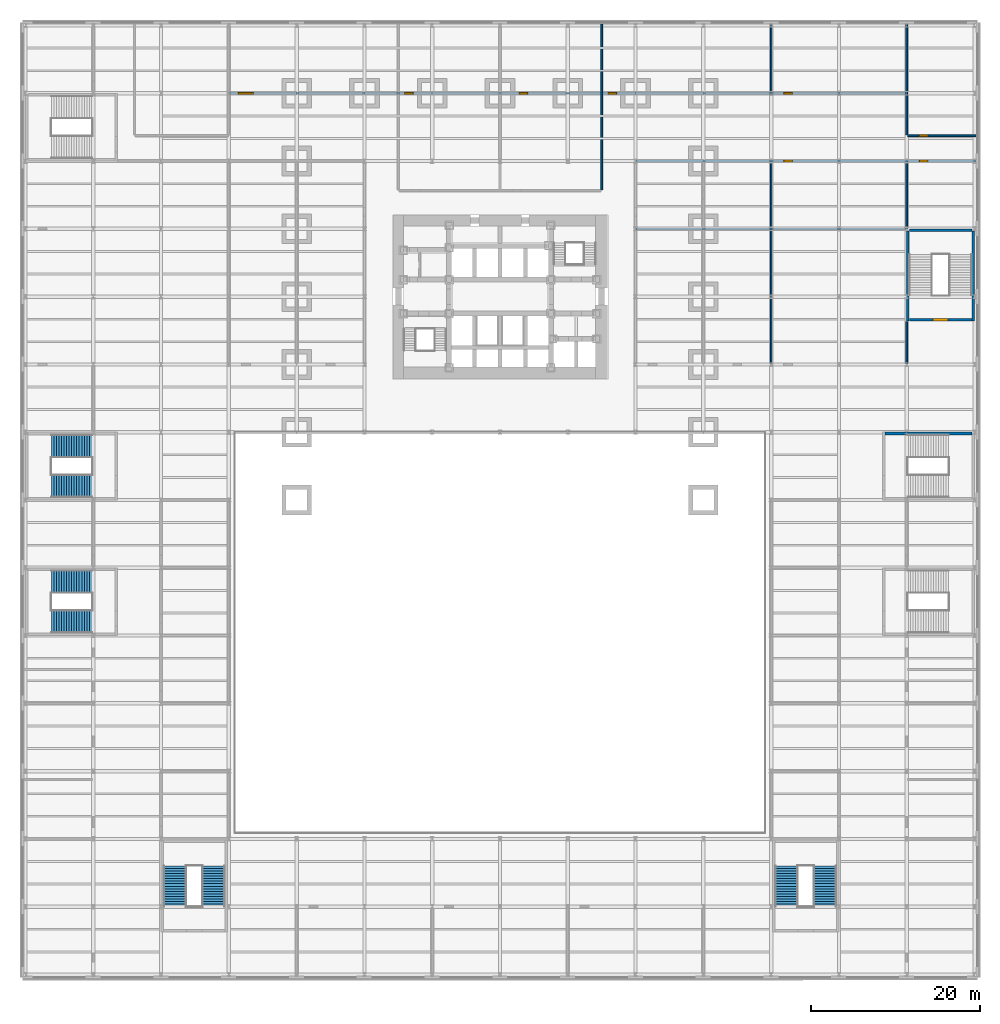
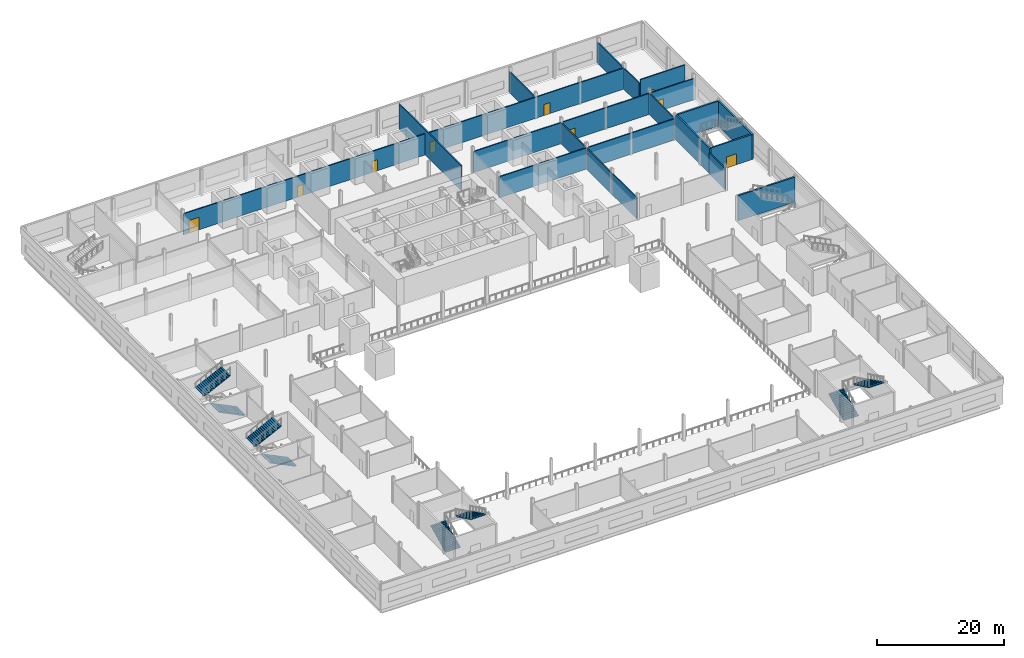
# One storey, part 13 of 18: 15 walls, 9 doors, 8 stair flights, 9 openings, 4 elements without a shape of their own.
"""IFC4 building model written with IfcOpenShell, lengths in metres."""

from ifc_helpers import new_model, si_unit, direction, frame, frame_2d, origin, place, context, subcontext, project, spatial, polyline, rectangle, outline, extrude, material, layer, layer_set, type_object, element, fill, aggregate, save


model = new_model("IFC4")

# Units and contexts
model_context = context("Model", 3, precision=1e-05, world=origin(), true_north=direction((0.0, 1.0)))
body_context = subcontext(model_context, "Body", "Model", "MODEL_VIEW")
ifc_project = project(units=[si_unit("LENGTHUNIT", "METRE"), si_unit("AREAUNIT", "SQUARE_METRE"), si_unit("VOLUMEUNIT", "CUBIC_METRE"), si_unit("PLANEANGLEUNIT", "RADIAN"), si_unit("MASSUNIT", "GRAM", prefix="KILO")], contexts=[model_context])

# Site, building, storey
site_placement = place(None, origin())
site = spatial("IfcSite", under=ifc_project, at=site_placement, CompositionType="ELEMENT")
building_placement = place(site_placement, origin())
building = spatial("IfcBuilding", under=site, at=building_placement, Name="Daluyong Arena Tower", CompositionType="ELEMENT")
storey_placement = place(building_placement, frame((0.0, 0.0, 4.89990234375)))
storey = spatial("IfcBuildingStorey", under=building, at=storey_placement, Name="L01", CompositionType="ELEMENT", Elevation=4.89990234375)

# Wall
ifc_material_1 = material(Name="Concrete block partition", Category="concrete")
ifc_layer_1 = layer(ifc_material_1, 0.199951171875)
ifc_layer_set_1 = layer_set([ifc_layer_1], Name="Concrete block partition")
wall_type_1 = type_object("IfcWallType", Name="Partition 200", PredefinedType="PARTITIONING", material=ifc_layer_set_1)
wall_1_placement = place(storey_placement, frame((72.10009765625, 88.0, 0.0), z_axis=(0.0, 0.0, 1.0), x_axis=(1.0, 0.0, 0.0)))
element("IfcWall", 1, at=wall_1_placement, inside=storey, type_object=wall_type_1, Name="partition at L01", PredefinedType="PARTITIONING", context=body_context, shape_type="SweptSolid", body=[
    extrude(rectangle(XDim=31.7998046875, YDim=0.199951171875, at=frame_2d((15.89990234375, 0.0))), origin(), (0.0, 0.0, 1.0), 4.02783203125),
])

# Wall, openings, doors
wall_2_placement = place(storey_placement, frame((72.10009765625, 96.0, 0.0), z_axis=(0.0, 0.0, 1.0), x_axis=(1.0, 0.0, 0.0)))
wall_2 = element("IfcWall", 2, at=wall_2_placement, inside=storey, type_object=wall_type_1, Name="partition at L01", PredefinedType="PARTITIONING", context=body_context, shape_type="SweptSolid", body=[
    extrude(rectangle(XDim=40.0498046875, YDim=0.199951171875, at=frame_2d((20.02490234375, 0.0))), origin(), (0.0, 0.0, 1.0), 4.02783203125),
])
opening_1_placement = place(wall_2_placement, frame((17.39990234375, 0.0, 0.0)))
opening_1 = element("IfcOpeningElement", 3, at=opening_1_placement, cuts=wall_2, Name="Opening 01066", PredefinedType="OPENING", context=body_context, shape_type="SweptSolid", body=[
    extrude(rectangle(XDim=1.0, YDim=2.10009765625, at=frame_2d((0.5, 1.050048828125))), frame((0.0, 0.10986328125, 0.0), z_axis=(0.0, -1.0, 0.0), x_axis=(1.0, 0.0, 0.0)), (0.0, 0.0, 1.0), 0.219970703125),
])
opening_2_placement = place(wall_2_placement, frame((33.39990234375, 0.0, 0.0)))
opening_2 = element("IfcOpeningElement", 4, at=opening_2_placement, cuts=wall_2, Name="Opening 01068", PredefinedType="OPENING", context=body_context, shape_type="SweptSolid", body=[
    extrude(rectangle(XDim=1.0, YDim=2.10009765625, at=frame_2d((0.5, 1.050048828125))), frame((0.0, 0.10986328125, 0.0), z_axis=(0.0, -1.0, 0.0), x_axis=(1.0, 0.0, 0.0)), (0.0, 0.0, 1.0), 0.219970703125),
])
ifc_material_2 = material(Name="Timber door", Category="wood")
door_type_1 = type_object("IfcDoorType", Name="Room door 1000", OperationType="SINGLE_SWING_LEFT", PredefinedType="DOOR", material=ifc_material_2)
door_1_placement = place(opening_1_placement, origin())
door_1 = element("IfcDoor", 5, at=door_1_placement, inside=storey, type_object=door_type_1, Name="dressing room door 01066", OperationType="SINGLE_SWING_LEFT", OverallHeight=2.10009765625, OverallWidth=1.0, PredefinedType="DOOR", context=body_context, shape_type="SweptSolid", body=[
    extrude(rectangle(XDim=1.0, YDim=2.10009765625, at=frame_2d((0.5, 1.050048828125))), frame((0.0, 0.099609375, 0.0), z_axis=(0.0, -1.0, 0.0), x_axis=(1.0, 0.0, 0.0)), (0.0, 0.0, 1.0), 0.199462890625),
])
fill(opening_1, door_1)
door_2_placement = place(opening_2_placement, origin())
door_2 = element("IfcDoor", 6, at=door_2_placement, inside=storey, type_object=door_type_1, Name="team medical room door 01068", OperationType="SINGLE_SWING_LEFT", OverallHeight=2.10009765625, OverallWidth=1.0, PredefinedType="DOOR", context=body_context, shape_type="SweptSolid", body=[
    extrude(rectangle(XDim=1.0, YDim=2.10009765625, at=frame_2d((0.5, 1.050048828125))), frame((0.0, 0.099609375, 0.0), z_axis=(0.0, -1.0, 0.0), x_axis=(1.0, 0.0, 0.0)), (0.0, 0.0, 1.0), 0.199462890625),
])
fill(opening_2, door_2)

# Wall, opening, door
wall_3_placement = place(storey_placement, frame((104.10009765625, 99.0, 0.0), z_axis=(0.0, 0.0, 1.0), x_axis=(1.0, 0.0, 0.0)))
wall_3 = element("IfcWall", 7, at=wall_3_placement, inside=storey, type_object=wall_type_1, Name="partition at L01", PredefinedType="PARTITIONING", context=body_context, shape_type="SweptSolid", body=[
    extrude(rectangle(XDim=8.0498046875, YDim=0.199951171875, at=frame_2d((4.02490234375, 0.0))), origin(), (0.0, 0.0, 1.0), 4.800048828125),
])
opening_3_placement = place(wall_3_placement, frame((1.39990234375, 0.0, 0.0)))
opening_3 = element("IfcOpeningElement", 8, at=opening_3_placement, cuts=wall_3, Name="Opening 01069", PredefinedType="OPENING", context=body_context, shape_type="SweptSolid", body=[
    extrude(rectangle(XDim=1.0, YDim=2.10009765625, at=frame_2d((0.5, 1.050048828125))), frame((0.0, 0.10986328125, 0.0), z_axis=(0.0, -1.0, 0.0), x_axis=(1.0, 0.0, 0.0)), (0.0, 0.0, 1.0), 0.219970703125),
])
door_3_placement = place(opening_3_placement, origin())
door_3 = element("IfcDoor", 9, at=door_3_placement, inside=storey, type_object=door_type_1, Name="event crew room door 01069", OperationType="SINGLE_SWING_LEFT", OverallHeight=2.10009765625, OverallWidth=1.0, PredefinedType="DOOR", context=body_context, shape_type="SweptSolid", body=[
    extrude(rectangle(XDim=1.0, YDim=2.10009765625, at=frame_2d((0.5, 1.050048828125))), frame((0.0, 0.099609375, 0.0), z_axis=(0.0, -1.0, 0.0), x_axis=(1.0, 0.0, 0.0)), (0.0, 0.0, 1.0), 0.199462890625),
])
fill(opening_3, door_3)

# Wall, openings, doors
wall_4_placement = place(storey_placement, frame((24.10009765625, 104.0, 0.0), z_axis=(0.0, 0.0, 1.0), x_axis=(1.0, 0.0, 0.0)))
wall_4 = element("IfcWall", 10, at=wall_4_placement, inside=storey, type_object=wall_type_1, Name="partition at L01", PredefinedType="PARTITIONING", context=body_context, shape_type="SweptSolid", body=[
    extrude(rectangle(XDim=79.7998046875, YDim=0.199951171875, at=frame_2d((39.89990234375, 0.0))), origin(), (0.0, 0.0, 1.0), 4.02783203125),
])
opening_4_placement = place(wall_4_placement, frame((1.0, 0.0, 0.0)))
opening_4 = element("IfcOpeningElement", 11, at=opening_4_placement, cuts=wall_4, Name="Opening 01055", PredefinedType="OPENING", context=body_context, shape_type="SweptSolid", body=[
    extrude(rectangle(XDim=1.800048828125, YDim=2.39990234375, at=frame_2d((0.89990234375, 1.199951171875))), frame((0.0, 0.10986328125, 0.0), z_axis=(0.0, -1.0, 0.0), x_axis=(1.0, 0.0, 0.0)), (0.0, 0.0, 1.0), 0.219970703125),
])
opening_5_placement = place(wall_4_placement, frame((20.64990234375, 0.0, 0.0)))
opening_5 = element("IfcOpeningElement", 12, at=opening_5_placement, cuts=wall_4, Name="Opening 01057", PredefinedType="OPENING", context=body_context, shape_type="SweptSolid", body=[
    extrude(rectangle(XDim=1.0, YDim=2.10009765625, at=frame_2d((0.5, 1.050048828125))), frame((0.0, 0.10986328125, 0.0), z_axis=(0.0, -1.0, 0.0), x_axis=(1.0, 0.0, 0.0)), (0.0, 0.0, 1.0), 0.219970703125),
])
opening_6_placement = place(wall_4_placement, frame((34.14990234375, 0.0, 0.0)))
opening_6 = element("IfcOpeningElement", 13, at=opening_6_placement, cuts=wall_4, Name="Opening 01059", PredefinedType="OPENING", context=body_context, shape_type="SweptSolid", body=[
    extrude(rectangle(XDim=1.0, YDim=2.10009765625, at=frame_2d((0.5, 1.050048828125))), frame((0.0, 0.10986328125, 0.0), z_axis=(0.0, -1.0, 0.0), x_axis=(1.0, 0.0, 0.0)), (0.0, 0.0, 1.0), 0.219970703125),
])
opening_7_placement = place(wall_4_placement, frame((44.64990234375, 0.0, 0.0)))
opening_7 = element("IfcOpeningElement", 14, at=opening_7_placement, cuts=wall_4, Name="Opening 01060", PredefinedType="OPENING", context=body_context, shape_type="SweptSolid", body=[
    extrude(rectangle(XDim=1.0, YDim=2.10009765625, at=frame_2d((0.5, 1.050048828125))), frame((0.0, 0.10986328125, 0.0), z_axis=(0.0, -1.0, 0.0), x_axis=(1.0, 0.0, 0.0)), (0.0, 0.0, 1.0), 0.219970703125),
])
opening_8_placement = place(wall_4_placement, frame((65.39990234375, 0.0, 0.0)))
opening_8 = element("IfcOpeningElement", 15, at=opening_8_placement, cuts=wall_4, Name="Opening 01067", PredefinedType="OPENING", context=body_context, shape_type="SweptSolid", body=[
    extrude(rectangle(XDim=1.0, YDim=2.10009765625, at=frame_2d((0.5, 1.050048828125))), frame((0.0, 0.10986328125, 0.0), z_axis=(0.0, -1.0, 0.0), x_axis=(1.0, 0.0, 0.0)), (0.0, 0.0, 1.0), 0.219970703125),
])
ifc_material_3 = material(Name="Timber door", Category="wood")
door_type_2 = type_object("IfcDoorType", Name="Assembly double door 1800", OperationType="DOUBLE_DOOR_DOUBLE_SWING", PredefinedType="DOOR", material=ifc_material_3)
door_4_placement = place(opening_4_placement, origin())
door_4 = element("IfcDoor", 16, at=door_4_placement, inside=storey, type_object=door_type_2, Name="press conference room door 01055", OperationType="DOUBLE_DOOR_DOUBLE_SWING", OverallHeight=2.39990234375, OverallWidth=1.800048828125, PredefinedType="DOOR", context=body_context, shape_type="SweptSolid", body=[
    extrude(rectangle(XDim=1.800048828125, YDim=2.39990234375, at=frame_2d((0.89990234375, 1.199951171875))), frame((0.0, 0.099609375, 0.0), z_axis=(0.0, -1.0, 0.0), x_axis=(1.0, 0.0, 0.0)), (0.0, 0.0, 1.0), 0.199462890625),
])
fill(opening_4, door_4)
door_5_placement = place(opening_5_placement, origin())
door_5 = element("IfcDoor", 17, at=door_5_placement, inside=storey, type_object=door_type_1, Name="team dressing room 1 door 01057", OperationType="SINGLE_SWING_LEFT", OverallHeight=2.10009765625, OverallWidth=1.0, PredefinedType="DOOR", context=body_context, shape_type="SweptSolid", body=[
    extrude(rectangle(XDim=1.0, YDim=2.10009765625, at=frame_2d((0.5, 1.050048828125))), frame((0.0, 0.099609375, 0.0), z_axis=(0.0, -1.0, 0.0), x_axis=(1.0, 0.0, 0.0)), (0.0, 0.0, 1.0), 0.199462890625),
])
fill(opening_5, door_5)
door_6_placement = place(opening_6_placement, origin())
door_6 = element("IfcDoor", 18, at=door_6_placement, inside=storey, type_object=door_type_1, Name="team dressing room 2 door 01059", OperationType="SINGLE_SWING_LEFT", OverallHeight=2.10009765625, OverallWidth=1.0, PredefinedType="DOOR", context=body_context, shape_type="SweptSolid", body=[
    extrude(rectangle(XDim=1.0, YDim=2.10009765625, at=frame_2d((0.5, 1.050048828125))), frame((0.0, 0.099609375, 0.0), z_axis=(0.0, -1.0, 0.0), x_axis=(1.0, 0.0, 0.0)), (0.0, 0.0, 1.0), 0.199462890625),
])
fill(opening_6, door_6)
door_7_placement = place(opening_7_placement, origin())
door_7 = element("IfcDoor", 19, at=door_7_placement, inside=storey, type_object=door_type_1, Name="catering kitchen door 01060", OperationType="SINGLE_SWING_LEFT", OverallHeight=2.10009765625, OverallWidth=1.0, PredefinedType="DOOR", context=body_context, shape_type="SweptSolid", body=[
    extrude(rectangle(XDim=1.0, YDim=2.10009765625, at=frame_2d((0.5, 1.050048828125))), frame((0.0, 0.099609375, 0.0), z_axis=(0.0, -1.0, 0.0), x_axis=(1.0, 0.0, 0.0)), (0.0, 0.0, 1.0), 0.199462890625),
])
fill(opening_7, door_7)
door_8_placement = place(opening_8_placement, origin())
door_8 = element("IfcDoor", 20, at=door_8_placement, inside=storey, type_object=door_type_1, Name="dressing room door 01067", OperationType="SINGLE_SWING_LEFT", OverallHeight=2.10009765625, OverallWidth=1.0, PredefinedType="DOOR", context=body_context, shape_type="SweptSolid", body=[
    extrude(rectangle(XDim=1.0, YDim=2.10009765625, at=frame_2d((0.5, 1.050048828125))), frame((0.0, 0.099609375, 0.0), z_axis=(0.0, -1.0, 0.0), x_axis=(1.0, 0.0, 0.0)), (0.0, 0.0, 1.0), 0.199462890625),
])
fill(opening_8, door_8)

# Walls
wall_5_placement = place(storey_placement, frame((68.0, 92.60009765625, 0.0), z_axis=(0.0, 0.0, 1.0), x_axis=(0.0, 1.0, 0.0)))
element("IfcWall", 21, at=wall_5_placement, inside=storey, type_object=wall_type_1, Name="partition at L01", PredefinedType="PARTITIONING", context=body_context, shape_type="SweptSolid", body=[
    extrude(rectangle(XDim=19.5498046875, YDim=0.199951171875, at=frame_2d((9.77490234375, 0.0))), origin(), (0.0, 0.0, 1.0), 4.800048828125),
])
wall_6_placement = place(storey_placement, frame((88.0, 72.10009765625, 0.0), z_axis=(0.0, 0.0, 1.0), x_axis=(0.0, 1.0, 0.0)))
element("IfcWall", 22, at=wall_6_placement, inside=storey, type_object=wall_type_1, Name="partition at L01", PredefinedType="PARTITIONING", context=body_context, shape_type="SweptSolid", body=[
    extrude(rectangle(XDim=23.7998046875, YDim=0.199951171875, at=frame_2d((11.89990234375, 0.0))), origin(), (0.0, 0.0, 1.0), 4.02783203125),
])
wall_7_placement = place(storey_placement, frame((88.0, 104.10009765625, 0.0), z_axis=(0.0, 0.0, 1.0), x_axis=(0.0, 1.0, 0.0)))
element("IfcWall", 23, at=wall_7_placement, inside=storey, type_object=wall_type_1, Name="partition at L01", PredefinedType="PARTITIONING", context=body_context, shape_type="SweptSolid", body=[
    extrude(rectangle(XDim=8.0498046875, YDim=0.199951171875, at=frame_2d((4.02490234375, 0.0))), origin(), (0.0, 0.0, 1.0), 4.02783203125),
])
wall_8_placement = place(storey_placement, frame((104.0, 72.10009765625, 0.0), z_axis=(0.0, 0.0, 1.0), x_axis=(0.0, 1.0, 0.0)))
element("IfcWall", 24, at=wall_8_placement, inside=storey, type_object=wall_type_1, Name="partition at L01", PredefinedType="PARTITIONING", context=body_context, shape_type="SweptSolid", body=[
    extrude(rectangle(XDim=4.949951171875, YDim=0.199951171875, at=frame_2d((2.47509765625, 0.0))), origin(), (0.0, 0.0, 1.0), 4.02783203125),
])
wall_9_placement = place(storey_placement, frame((104.0, 88.10009765625, 0.0), z_axis=(0.0, 0.0, 1.0), x_axis=(0.0, 1.0, 0.0)))
element("IfcWall", 25, at=wall_9_placement, inside=storey, type_object=wall_type_1, Name="partition at L01", PredefinedType="PARTITIONING", context=body_context, shape_type="SweptSolid", body=[
    extrude(rectangle(XDim=7.7998046875, YDim=0.199951171875, at=frame_2d((3.89990234375, 0.0))), origin(), (0.0, 0.0, 1.0), 4.02783203125),
])
wall_10_placement = place(storey_placement, frame((104.0, 99.10009765625, 0.0), z_axis=(0.0, 0.0, 1.0), x_axis=(0.0, 1.0, 0.0)))
element("IfcWall", 26, at=wall_10_placement, inside=storey, type_object=wall_type_1, Name="partition at L01", PredefinedType="PARTITIONING", context=body_context, shape_type="SweptSolid", body=[
    extrude(rectangle(XDim=13.0498046875, YDim=0.199951171875, at=frame_2d((6.52490234375, 0.0))), origin(), (0.0, 0.0, 1.0), 4.02783203125),
])
ifc_material_4 = material(Name="Concrete fc' 35 MPa", Category="concrete")
ifc_layer_2 = layer(ifc_material_4, 0.300048828125)
ifc_layer_set_2 = layer_set([ifc_layer_2], Name="Concrete fc' 35 MPa")
wall_type_2 = type_object("IfcWallType", Name="Stair enclosure wall 300", PredefinedType="SOLIDWALL", material=ifc_layer_set_2)
for number, where, z_axis, x_axis, name in (
    (27, (104.14990234375, 77.14990234375, 0.0), (0.0, 0.0, 1.0), (0.0, 1.0, 0.0), "exit stair PS6 enclosure"),
    (28, (111.85009765625, 77.14990234375, 0.0), (0.0, 0.0, 1.0), (0.0, 1.0, 0.0), "exit stair PS6 enclosure"),
):
    element("IfcWall", number, at=place(storey_placement, frame(where, z_axis=z_axis, x_axis=x_axis)), inside=storey, type_object=wall_type_2, Name=name, PredefinedType="SOLIDWALL", context=body_context, shape_type="SweptSolid", body=[
        extrude(rectangle(XDim=10.622802734375, YDim=0.300048828125, at=frame_2d((5.3115234375, 0.0))), origin(), (0.0, 0.0, 1.0), 4.800048828125),
    ])

# Wall, opening, door
wall_11_placement = place(storey_placement, frame((104.300048828125, 77.300048828125, 0.0), z_axis=(0.0, 0.0, 1.0), x_axis=(1.0, 0.0, 0.0)))
wall_11 = element("IfcWall", 29, at=wall_11_placement, inside=storey, type_object=wall_type_2, Name="exit stair PS6 enclosure", PredefinedType="SOLIDWALL", context=body_context, shape_type="SweptSolid", body=[
    extrude(rectangle(XDim=7.39990234375, YDim=0.300048828125, at=frame_2d((3.699951171875, 0.0))), origin(), (0.0, 0.0, 1.0), 4.800048828125),
])
opening_9_placement = place(wall_11_placement, frame((2.800048828125, 0.0, 0.0)))
opening_9 = element("IfcOpeningElement", 30, at=opening_9_placement, cuts=wall_11, Name="Opening 01020", PredefinedType="OPENING", context=body_context, shape_type="SweptSolid", body=[
    extrude(rectangle(XDim=1.800048828125, YDim=2.10009765625, at=frame_2d((0.89990234375, 1.050048828125))), frame((0.0, 0.159912109375, 0.0), z_axis=(0.0, -1.0, 0.0), x_axis=(1.0, 0.0, 0.0)), (0.0, 0.0, 1.0), 0.320068359375),
])
ifc_material_5 = material(Name="Steel door, fire rated", Category="steel")
door_type_3 = type_object("IfcDoorType", Name="Exit stair double door 1800", OperationType="DOUBLE_DOOR_SINGLE_SWING", PredefinedType="DOOR", material=ifc_material_5)
door_9_placement = place(opening_9_placement, origin())
door_9 = element("IfcDoor", 31, at=door_9_placement, inside=storey, type_object=door_type_3, Name="exit stair PS6 door 01020", OperationType="DOUBLE_DOOR_SINGLE_SWING", OverallHeight=2.10009765625, OverallWidth=1.800048828125, PredefinedType="DOOR", context=body_context, shape_type="SweptSolid", body=[
    extrude(rectangle(XDim=1.800048828125, YDim=2.10009765625, at=frame_2d((0.89990234375, 1.050048828125))), frame((0.0, 0.14990234375, 0.0), z_axis=(0.0, -1.0, 0.0), x_axis=(1.0, 0.0, 0.0)), (0.0, 0.0, 1.0), 0.299560546875),
])
fill(opening_9, door_9)

# Walls
wall_12_placement = place(storey_placement, frame((104.300048828125, 87.85009765625, 0.0), z_axis=(0.0, 0.0, 1.0), x_axis=(1.0, 0.0, 0.0)))
element("IfcWall", 32, at=wall_12_placement, inside=storey, type_object=wall_type_2, Name="exit stair PS6 enclosure", PredefinedType="SOLIDWALL", context=body_context, shape_type="SweptSolid", body=[
    extrude(rectangle(XDim=7.39990234375, YDim=0.300048828125, at=frame_2d((3.699951171875, 0.0))), origin(), (0.0, 0.0, 1.0), 4.800048828125),
])
wall_13_placement = place(storey_placement, frame((101.449951171875, 63.85009765625, 0.0), z_axis=(0.0, 0.0, 1.0), x_axis=(1.0, 0.0, 0.0)))
element("IfcWall", 33, at=wall_13_placement, inside=storey, type_object=wall_type_2, Name="exit stair PS8 enclosure", PredefinedType="SOLIDWALL", context=body_context, shape_type="SweptSolid", body=[
    extrude(rectangle(XDim=10.25, YDim=0.300048828125, at=frame_2d((5.125, 0.0))), origin(), (0.0, 0.0, 1.0), 4.800048828125),
])

# Stair, stair flights
ifc_material_6 = material(Name="Concrete fc' 35 MPa", Category="concrete")
stair_type = type_object("IfcStairType", Name="Podium exit stair", PredefinedType="HALF_TURN_STAIR", material=ifc_material_6)
stair_1_placement = place(storey_placement, origin())
stair_1 = element("IfcStair", 34, at=stair_1_placement, inside=storey, type_object=stair_type, Name="exit stair PS1 L01", PredefinedType="HALF_TURN_STAIR")
ifc_material_7 = material(Name="Concrete fc' 35 MPa", Category="concrete")
stair_flight_type = type_object("IfcStairFlightType", Name="Podium stair flight", PredefinedType="STRAIGHT", material=ifc_material_7)
stair_flight_1_placement = place(storey_placement, frame((17.64990234375, 8.010009765625, 0.0), z_axis=(0.0, 0.0, 1.0), x_axis=(0.0, 1.0, 0.0)))
stair_flight_1 = element("IfcStairFlight", 35, at=stair_flight_1_placement, type_object=stair_flight_type, Name="PS1 flight 1", NumberOfRisers=17, NumberOfTreads=16, PredefinedType="STRAIGHT", RiserHeight=0.147058824, TreadLength=0.3, context=body_context, shape_type="SweptSolid", body=[
    extrude(outline(polyline([(0.0, 0.0), (0.0, 0.14697265625), (0.300048828125, 0.14697265625), (0.300048828125, 0.294189453125), (0.60009765625, 0.294189453125), (0.60009765625, 0.441162109375), (0.89990234375, 0.441162109375), (0.89990234375, 0.588134765625), (1.199951171875, 0.588134765625), (1.199951171875, 0.7353515625), (1.5, 0.7353515625), (1.5, 0.88232421875), (1.800048828125, 0.88232421875), (1.800048828125, 1.029296875), (2.10009765625, 1.029296875), (2.10009765625, 1.176513671875), (2.39990234375, 1.176513671875), (2.39990234375, 1.323486328125), (2.699951171875, 1.323486328125), (2.699951171875, 1.470703125), (3.0, 1.470703125), (3.0, 1.61767578125), (3.300048828125, 1.61767578125), (3.300048828125, 1.7646484375), (3.60009765625, 1.7646484375), (3.60009765625, 1.911865234375), (3.89990234375, 1.911865234375), (3.89990234375, 2.058837890625), (4.199951171875, 2.058837890625), (4.199951171875, 2.205810546875), (4.5, 2.205810546875), (4.5, 2.35302734375), (4.800048828125, 2.35302734375), (4.800048828125, 2.5), (4.800048828125, 2.18603515625), (0.340576171875, 0.0), (0.0, 0.0)])), frame((0.0, 1.35009765625, 0.0), z_axis=(0.0, -1.0, 0.0), x_axis=(1.0, 0.0, 0.0)), (0.0, 0.0, 1.0), 2.699951171875),
])
stair_flight_2_placement = place(storey_placement, frame((22.199951171875, 12.81005859375, 2.5), z_axis=(0.0, 0.0, 1.0), x_axis=(0.0, -1.0, 0.0)))
stair_flight_2 = element("IfcStairFlight", 36, at=stair_flight_2_placement, type_object=stair_flight_type, Name="PS1 flight 2", NumberOfRisers=17, NumberOfTreads=16, PredefinedType="STRAIGHT", RiserHeight=0.147058824, TreadLength=0.3, context=body_context, shape_type="SweptSolid", body=[
    extrude(outline(polyline([(0.0, 0.0), (0.0, 0.14697265625), (0.300048828125, 0.14697265625), (0.300048828125, 0.294189453125), (0.60009765625, 0.294189453125), (0.60009765625, 0.441162109375), (0.89990234375, 0.441162109375), (0.89990234375, 0.588134765625), (1.199951171875, 0.588134765625), (1.199951171875, 0.7353515625), (1.5, 0.7353515625), (1.5, 0.88232421875), (1.800048828125, 0.88232421875), (1.800048828125, 1.029296875), (2.10009765625, 1.029296875), (2.10009765625, 1.176513671875), (2.39990234375, 1.176513671875), (2.39990234375, 1.323486328125), (2.699951171875, 1.323486328125), (2.699951171875, 1.470703125), (3.0, 1.470703125), (3.0, 1.61767578125), (3.300048828125, 1.61767578125), (3.300048828125, 1.7646484375), (3.60009765625, 1.7646484375), (3.60009765625, 1.911865234375), (3.89990234375, 1.911865234375), (3.89990234375, 2.058837890625), (4.199951171875, 2.058837890625), (4.199951171875, 2.205810546875), (4.5, 2.205810546875), (4.5, 2.35302734375), (4.800048828125, 2.35302734375), (4.800048828125, 2.5), (4.800048828125, 2.18603515625), (0.340576171875, 0.0), (0.0, 0.0)])), frame((0.0, 1.35009765625, 0.0), z_axis=(0.0, -1.0, 0.0), x_axis=(1.0, 0.0, 0.0)), (0.0, 0.0, 1.0), 2.699951171875),
])
aggregate(stair_1, [stair_flight_1, stair_flight_2])

stair_2_placement = place(storey_placement, origin())
stair_2 = element("IfcStair", 37, at=stair_2_placement, inside=storey, type_object=stair_type, Name="exit stair PS2 L01", PredefinedType="HALF_TURN_STAIR")
stair_flight_3_placement = place(storey_placement, frame((89.800048828125, 8.010009765625, 0.0), z_axis=(0.0, 0.0, 1.0), x_axis=(0.0, 1.0, 0.0)))
stair_flight_3 = element("IfcStairFlight", 38, at=stair_flight_3_placement, type_object=stair_flight_type, Name="PS2 flight 1", NumberOfRisers=17, NumberOfTreads=16, PredefinedType="STRAIGHT", RiserHeight=0.147058824, TreadLength=0.3, context=body_context, shape_type="SweptSolid", body=[
    extrude(outline(polyline([(0.0, 0.0), (0.0, 0.14697265625), (0.300048828125, 0.14697265625), (0.300048828125, 0.294189453125), (0.60009765625, 0.294189453125), (0.60009765625, 0.441162109375), (0.89990234375, 0.441162109375), (0.89990234375, 0.588134765625), (1.199951171875, 0.588134765625), (1.199951171875, 0.7353515625), (1.5, 0.7353515625), (1.5, 0.88232421875), (1.800048828125, 0.88232421875), (1.800048828125, 1.029296875), (2.10009765625, 1.029296875), (2.10009765625, 1.176513671875), (2.39990234375, 1.176513671875), (2.39990234375, 1.323486328125), (2.699951171875, 1.323486328125), (2.699951171875, 1.470703125), (3.0, 1.470703125), (3.0, 1.61767578125), (3.300048828125, 1.61767578125), (3.300048828125, 1.7646484375), (3.60009765625, 1.7646484375), (3.60009765625, 1.911865234375), (3.89990234375, 1.911865234375), (3.89990234375, 2.058837890625), (4.199951171875, 2.058837890625), (4.199951171875, 2.205810546875), (4.5, 2.205810546875), (4.5, 2.35302734375), (4.800048828125, 2.35302734375), (4.800048828125, 2.5), (4.800048828125, 2.18603515625), (0.340576171875, 0.0), (0.0, 0.0)])), frame((0.0, 1.35009765625, 0.0), z_axis=(0.0, -1.0, 0.0), x_axis=(1.0, 0.0, 0.0)), (0.0, 0.0, 1.0), 2.699951171875),
])
stair_flight_4_placement = place(storey_placement, frame((94.35009765625, 12.81005859375, 2.5), z_axis=(0.0, 0.0, 1.0), x_axis=(0.0, -1.0, 0.0)))
stair_flight_4 = element("IfcStairFlight", 39, at=stair_flight_4_placement, type_object=stair_flight_type, Name="PS2 flight 2", NumberOfRisers=17, NumberOfTreads=16, PredefinedType="STRAIGHT", RiserHeight=0.147058824, TreadLength=0.3, context=body_context, shape_type="SweptSolid", body=[
    extrude(outline(polyline([(0.0, 0.0), (0.0, 0.14697265625), (0.300048828125, 0.14697265625), (0.300048828125, 0.294189453125), (0.60009765625, 0.294189453125), (0.60009765625, 0.441162109375), (0.89990234375, 0.441162109375), (0.89990234375, 0.588134765625), (1.199951171875, 0.588134765625), (1.199951171875, 0.7353515625), (1.5, 0.7353515625), (1.5, 0.88232421875), (1.800048828125, 0.88232421875), (1.800048828125, 1.029296875), (2.10009765625, 1.029296875), (2.10009765625, 1.176513671875), (2.39990234375, 1.176513671875), (2.39990234375, 1.323486328125), (2.699951171875, 1.323486328125), (2.699951171875, 1.470703125), (3.0, 1.470703125), (3.0, 1.61767578125), (3.300048828125, 1.61767578125), (3.300048828125, 1.7646484375), (3.60009765625, 1.7646484375), (3.60009765625, 1.911865234375), (3.89990234375, 1.911865234375), (3.89990234375, 2.058837890625), (4.199951171875, 2.058837890625), (4.199951171875, 2.205810546875), (4.5, 2.205810546875), (4.5, 2.35302734375), (4.800048828125, 2.35302734375), (4.800048828125, 2.5), (4.800048828125, 2.18603515625), (0.340576171875, 0.0), (0.0, 0.0)])), frame((0.0, 1.35009765625, 0.0), z_axis=(0.0, -1.0, 0.0), x_axis=(1.0, 0.0, 0.0)), (0.0, 0.0, 1.0), 2.699951171875),
])
aggregate(stair_2, [stair_flight_3, stair_flight_4])

stair_3_placement = place(storey_placement, origin())
stair_3 = element("IfcStair", 40, at=stair_3_placement, inside=storey, type_object=stair_type, Name="exit stair PS3 L01", PredefinedType="HALF_TURN_STAIR")
stair_flight_5_placement = place(storey_placement, frame((7.840087890625, 41.64990234375, 0.0), z_axis=(0.0, 0.0, 1.0), x_axis=(-1.0, 0.0, 0.0)))
stair_flight_5 = element("IfcStairFlight", 41, at=stair_flight_5_placement, type_object=stair_flight_type, Name="PS3 flight 1", NumberOfRisers=17, NumberOfTreads=16, PredefinedType="STRAIGHT", RiserHeight=0.147058824, TreadLength=0.3, context=body_context, shape_type="SweptSolid", body=[
    extrude(outline(polyline([(0.0, 0.0), (0.0, 0.14697265625), (0.300048828125, 0.14697265625), (0.300048828125, 0.294189453125), (0.60009765625, 0.294189453125), (0.60009765625, 0.441162109375), (0.89990234375, 0.441162109375), (0.89990234375, 0.588134765625), (1.199951171875, 0.588134765625), (1.199951171875, 0.7353515625), (1.5, 0.7353515625), (1.5, 0.88232421875), (1.800048828125, 0.88232421875), (1.800048828125, 1.029296875), (2.10009765625, 1.029296875), (2.10009765625, 1.176513671875), (2.39990234375, 1.176513671875), (2.39990234375, 1.323486328125), (2.699951171875, 1.323486328125), (2.699951171875, 1.470703125), (3.0, 1.470703125), (3.0, 1.61767578125), (3.300048828125, 1.61767578125), (3.300048828125, 1.7646484375), (3.60009765625, 1.7646484375), (3.60009765625, 1.911865234375), (3.89990234375, 1.911865234375), (3.89990234375, 2.058837890625), (4.199951171875, 2.058837890625), (4.199951171875, 2.205810546875), (4.5, 2.205810546875), (4.5, 2.35302734375), (4.800048828125, 2.35302734375), (4.800048828125, 2.5), (4.800048828125, 2.18603515625), (0.340576171875, 0.0), (0.0, 0.0)])), frame((0.0, 1.35009765625, 0.0), z_axis=(0.0, -1.0, 0.0), x_axis=(1.0, 0.0, 0.0)), (0.0, 0.0, 1.0), 2.699951171875),
])
stair_flight_6_placement = place(storey_placement, frame((3.0400390625, 46.35009765625, 2.5), z_axis=(0.0, 0.0, 1.0), x_axis=(1.0, 0.0, 0.0)))
stair_flight_6 = element("IfcStairFlight", 42, at=stair_flight_6_placement, type_object=stair_flight_type, Name="PS3 flight 2", NumberOfRisers=17, NumberOfTreads=16, PredefinedType="STRAIGHT", RiserHeight=0.147058824, TreadLength=0.3, context=body_context, shape_type="SweptSolid", body=[
    extrude(outline(polyline([(0.0, 0.0), (0.0, 0.14697265625), (0.300048828125, 0.14697265625), (0.300048828125, 0.294189453125), (0.60009765625, 0.294189453125), (0.60009765625, 0.441162109375), (0.89990234375, 0.441162109375), (0.89990234375, 0.588134765625), (1.199951171875, 0.588134765625), (1.199951171875, 0.7353515625), (1.5, 0.7353515625), (1.5, 0.88232421875), (1.800048828125, 0.88232421875), (1.800048828125, 1.029296875), (2.10009765625, 1.029296875), (2.10009765625, 1.176513671875), (2.39990234375, 1.176513671875), (2.39990234375, 1.323486328125), (2.699951171875, 1.323486328125), (2.699951171875, 1.470703125), (3.0, 1.470703125), (3.0, 1.61767578125), (3.300048828125, 1.61767578125), (3.300048828125, 1.7646484375), (3.60009765625, 1.7646484375), (3.60009765625, 1.911865234375), (3.89990234375, 1.911865234375), (3.89990234375, 2.058837890625), (4.199951171875, 2.058837890625), (4.199951171875, 2.205810546875), (4.5, 2.205810546875), (4.5, 2.35302734375), (4.800048828125, 2.35302734375), (4.800048828125, 2.5), (4.800048828125, 2.18603515625), (0.340576171875, 0.0), (0.0, 0.0)])), frame((0.0, 1.35009765625, 0.0), z_axis=(0.0, -1.0, 0.0), x_axis=(1.0, 0.0, 0.0)), (0.0, 0.0, 1.0), 2.699951171875),
])
aggregate(stair_3, [stair_flight_5, stair_flight_6])

stair_4_placement = place(storey_placement, origin())
stair_4 = element("IfcStair", 43, at=stair_4_placement, inside=storey, type_object=stair_type, Name="exit stair PS7 L01", PredefinedType="HALF_TURN_STAIR")
stair_flight_7_placement = place(storey_placement, frame((7.840087890625, 57.64990234375, 0.0), z_axis=(0.0, 0.0, 1.0), x_axis=(-1.0, 0.0, 0.0)))
stair_flight_7 = element("IfcStairFlight", 44, at=stair_flight_7_placement, type_object=stair_flight_type, Name="PS7 flight 1", NumberOfRisers=17, NumberOfTreads=16, PredefinedType="STRAIGHT", RiserHeight=0.147058824, TreadLength=0.3, context=body_context, shape_type="SweptSolid", body=[
    extrude(outline(polyline([(0.0, 0.0), (0.0, 0.14697265625), (0.300048828125, 0.14697265625), (0.300048828125, 0.294189453125), (0.60009765625, 0.294189453125), (0.60009765625, 0.441162109375), (0.89990234375, 0.441162109375), (0.89990234375, 0.588134765625), (1.199951171875, 0.588134765625), (1.199951171875, 0.7353515625), (1.5, 0.7353515625), (1.5, 0.88232421875), (1.800048828125, 0.88232421875), (1.800048828125, 1.029296875), (2.10009765625, 1.029296875), (2.10009765625, 1.176513671875), (2.39990234375, 1.176513671875), (2.39990234375, 1.323486328125), (2.699951171875, 1.323486328125), (2.699951171875, 1.470703125), (3.0, 1.470703125), (3.0, 1.61767578125), (3.300048828125, 1.61767578125), (3.300048828125, 1.7646484375), (3.60009765625, 1.7646484375), (3.60009765625, 1.911865234375), (3.89990234375, 1.911865234375), (3.89990234375, 2.058837890625), (4.199951171875, 2.058837890625), (4.199951171875, 2.205810546875), (4.5, 2.205810546875), (4.5, 2.35302734375), (4.800048828125, 2.35302734375), (4.800048828125, 2.5), (4.800048828125, 2.18603515625), (0.340576171875, 0.0), (0.0, 0.0)])), frame((0.0, 1.35009765625, 0.0), z_axis=(0.0, -1.0, 0.0), x_axis=(1.0, 0.0, 0.0)), (0.0, 0.0, 1.0), 2.699951171875),
])
stair_flight_8_placement = place(storey_placement, frame((3.0400390625, 62.35009765625, 2.5), z_axis=(0.0, 0.0, 1.0), x_axis=(1.0, 0.0, 0.0)))
stair_flight_8 = element("IfcStairFlight", 45, at=stair_flight_8_placement, type_object=stair_flight_type, Name="PS7 flight 2", NumberOfRisers=17, NumberOfTreads=16, PredefinedType="STRAIGHT", RiserHeight=0.147058824, TreadLength=0.3, context=body_context, shape_type="SweptSolid", body=[
    extrude(outline(polyline([(0.0, 0.0), (0.0, 0.14697265625), (0.300048828125, 0.14697265625), (0.300048828125, 0.294189453125), (0.60009765625, 0.294189453125), (0.60009765625, 0.441162109375), (0.89990234375, 0.441162109375), (0.89990234375, 0.588134765625), (1.199951171875, 0.588134765625), (1.199951171875, 0.7353515625), (1.5, 0.7353515625), (1.5, 0.88232421875), (1.800048828125, 0.88232421875), (1.800048828125, 1.029296875), (2.10009765625, 1.029296875), (2.10009765625, 1.176513671875), (2.39990234375, 1.176513671875), (2.39990234375, 1.323486328125), (2.699951171875, 1.323486328125), (2.699951171875, 1.470703125), (3.0, 1.470703125), (3.0, 1.61767578125), (3.300048828125, 1.61767578125), (3.300048828125, 1.7646484375), (3.60009765625, 1.7646484375), (3.60009765625, 1.911865234375), (3.89990234375, 1.911865234375), (3.89990234375, 2.058837890625), (4.199951171875, 2.058837890625), (4.199951171875, 2.205810546875), (4.5, 2.205810546875), (4.5, 2.35302734375), (4.800048828125, 2.35302734375), (4.800048828125, 2.5), (4.800048828125, 2.18603515625), (0.340576171875, 0.0), (0.0, 0.0)])), frame((0.0, 1.35009765625, 0.0), z_axis=(0.0, -1.0, 0.0), x_axis=(1.0, 0.0, 0.0)), (0.0, 0.0, 1.0), 2.699951171875),
])
aggregate(stair_4, [stair_flight_7, stair_flight_8])

save(model, "model.ifc")
